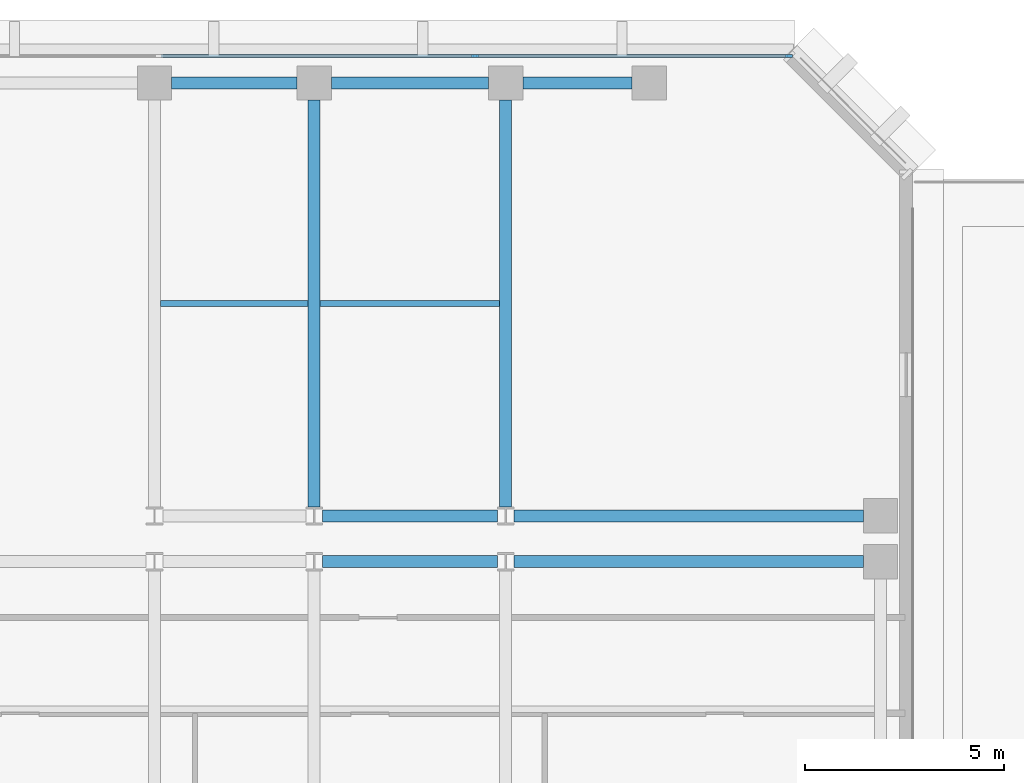
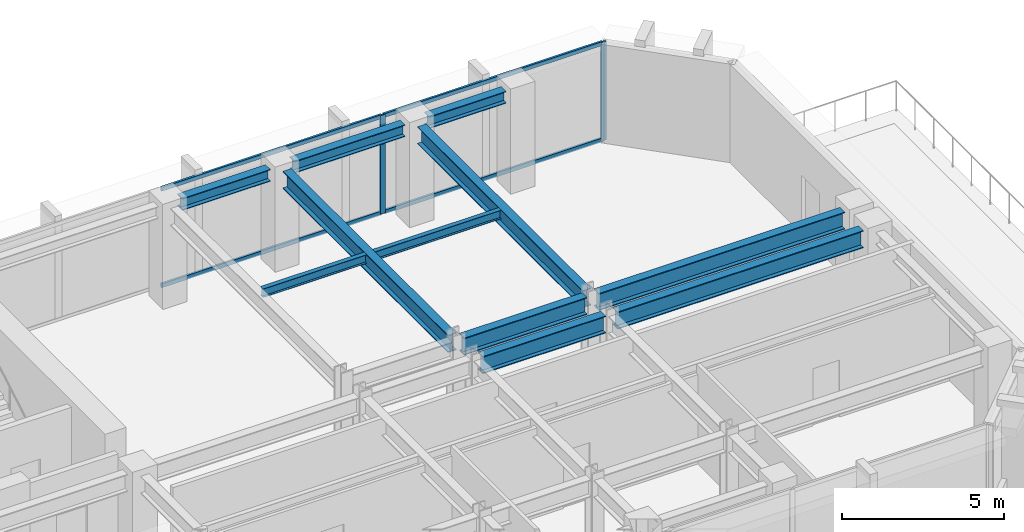
# One storey, part 5 of 12: 11 beams, 6 members, 1 element without a shape of its own.
"""IFC4 building model written with IfcOpenShell, lengths in metres."""

from ifc_helpers import new_model, si_unit, direction, frame, origin, origin_2d, place, context, subcontext, project, spatial, rectangle, i_section, extrude, material, layer, layer_set, material_profile, profile_set, type_object, element, aggregate, save


model = new_model("IFC4")

# Units and contexts
model_context = context("Model", 3, precision=1e-05, world=origin(), true_north=direction((0.0, 1.0)))
body_context = subcontext(model_context, "Body", "Model", "MODEL_VIEW")
ifc_project = project(units=[si_unit("LENGTHUNIT", "METRE"), si_unit("AREAUNIT", "SQUARE_METRE"), si_unit("VOLUMEUNIT", "CUBIC_METRE"), si_unit("PLANEANGLEUNIT", "RADIAN"), si_unit("MASSUNIT", "GRAM", prefix="KILO")], contexts=[model_context])

# Site, building, storey
site_placement = place(None, origin())
site = spatial("IfcSite", under=ifc_project, at=site_placement, CompositionType="ELEMENT")
building_placement = place(site_placement, origin())
building = spatial("IfcBuilding", under=site, at=building_placement, Name="Kefirva Bronze Tower", CompositionType="ELEMENT")
storey_placement = place(building_placement, frame((0.0, 0.0, 110.550048828125)))
storey = spatial("IfcBuildingStorey", under=building, at=storey_placement, Name="L26", CompositionType="ELEMENT", Elevation=110.550048828125)

# Curtain wall, members
ifc_material_1 = material(Name="Bronze anodised aluminium", Category="aluminium")
ifc_layer = layer(ifc_material_1, 0.199951171875, Name="Bronze anodised aluminium")
ifc_layer_set = layer_set([ifc_layer], Name="Bronze anodised aluminium")
curtain_wall_type = type_object("IfcCurtainWallType", Name="Unitised Bronze Ribbon Curtain Wall Zone 2", PredefinedType="USERDEFINED", material=ifc_layer_set)
curtain_wall_placement = place(storey_placement, origin())
curtain_wall = element("IfcCurtainWall", 1, at=curtain_wall_placement, inside=storey, type_object=curtain_wall_type, Name="L26 Curtain Wall 4", ObjectType="UNITISED CURTAIN WALL", PredefinedType="USERDEFINED")
ifc_material_profile_1 = material_profile(ifc_material_1, rectangle(XDim=0.074951171875, YDim=0.179931640625, at=origin_2d()), Name="ALU 75x180")
ifc_profile_set_1 = profile_set([ifc_material_profile_1], Name="Bronze anodised aluminium")
member_type_1 = type_object("IfcMemberType", Name="Bronze Mullion 75x180", PredefinedType="MULLION", material=ifc_profile_set_1)
member_1_placement = place(storey_placement, frame((47.107421875, 45.8798828125, 0.0), z_axis=(0.0, 0.0, 1.0), x_axis=(0.0, -1.0, 0.0)))
member_1 = element("IfcMember", 2, at=member_1_placement, type_object=member_type_1, Name="CW-02 mullion 1", PredefinedType="MULLION", context=body_context, shape_type="SweptSolid", body=[
    extrude(rectangle(XDim=0.074951171875, YDim=0.179931640625, at=origin_2d()), origin(), (0.0, 0.0, 1.0), 3.7099609375),
])
member_2_placement = place(storey_placement, frame((39.231689453125, 45.8798828125, 0.0), z_axis=(0.0, 0.0, 1.0), x_axis=(0.0, -1.0, 0.0)))
member_2 = element("IfcMember", 3, at=member_2_placement, type_object=member_type_1, Name="CW-02 mullion 2", PredefinedType="MULLION", context=body_context, shape_type="SweptSolid", body=[
    extrude(rectangle(XDim=0.074951171875, YDim=0.179931640625, at=origin_2d()), origin(), (0.0, 0.0, 1.0), 3.7099609375),
])
ifc_material_profile_2 = material_profile(ifc_material_1, rectangle(XDim=0.074951171875, YDim=0.14990234375, at=origin_2d()), Name="ALU 75x150")
ifc_profile_set_2 = profile_set([ifc_material_profile_2], Name="Bronze anodised aluminium")
member_type_2 = type_object("IfcMemberType", Name="Bronze Transom 75x150", PredefinedType="USERDEFINED", material=ifc_profile_set_2)
member_3_placement = place(storey_placement, frame((47.070068359375, 45.8798828125, 0.037353515625), z_axis=(-1.0, 0.0, 0.0), x_axis=(0.0, -1.0, 0.0)))
member_3 = element("IfcMember", 4, at=member_3_placement, type_object=member_type_2, Name="CW-02 transom 1.1", ObjectType="TRANSOM", PredefinedType="USERDEFINED", context=body_context, shape_type="SweptSolid", body=[
    extrude(rectangle(XDim=0.074951171875, YDim=0.14990234375, at=origin_2d()), origin(), (0.0, 0.0, 1.0), 7.80078125),
])
member_4_placement = place(storey_placement, frame((47.070068359375, 45.8798828125, 3.67236328125), z_axis=(-1.0, 0.0, 0.0), x_axis=(0.0, -1.0, 0.0)))
member_4 = element("IfcMember", 5, at=member_4_placement, type_object=member_type_2, Name="CW-02 transom 1.2", ObjectType="TRANSOM", PredefinedType="USERDEFINED", context=body_context, shape_type="SweptSolid", body=[
    extrude(rectangle(XDim=0.074951171875, YDim=0.14990234375, at=origin_2d()), origin(), (0.0, 0.0, 1.0), 7.80078125),
])
member_5_placement = place(storey_placement, frame((39.194091796875, 45.8798828125, 0.037353515625), z_axis=(-1.0, 0.0, 0.0), x_axis=(0.0, -1.0, 0.0)))
member_5 = element("IfcMember", 6, at=member_5_placement, type_object=member_type_2, Name="CW-02 transom 2.1", ObjectType="TRANSOM", PredefinedType="USERDEFINED", context=body_context, shape_type="SweptSolid", body=[
    extrude(rectangle(XDim=0.074951171875, YDim=0.14990234375, at=origin_2d()), origin(), (0.0, 0.0, 1.0), 7.83837890625),
])
member_6_placement = place(storey_placement, frame((39.194091796875, 45.8798828125, 3.67236328125), z_axis=(-1.0, 0.0, 0.0), x_axis=(0.0, -1.0, 0.0)))
member_6 = element("IfcMember", 7, at=member_6_placement, type_object=member_type_2, Name="CW-02 transom 2.2", ObjectType="TRANSOM", PredefinedType="USERDEFINED", context=body_context, shape_type="SweptSolid", body=[
    extrude(rectangle(XDim=0.074951171875, YDim=0.14990234375, at=origin_2d()), origin(), (0.0, 0.0, 1.0), 7.83837890625),
])
aggregate(curtain_wall, [member_1, member_2, member_3, member_4, member_5, member_6])

# Beams
ifc_material_2 = material(Name="Steel S355", Category="steel")
ifc_material_profile_3 = material_profile(ifc_material_2, i_section(OverallWidth=0.159912109375, OverallDepth=0.330078125, WebThickness=0.007568359375, FlangeThickness=0.011474609375, at=origin_2d()), Name="IPE 330")
ifc_profile_set_3 = profile_set([ifc_material_profile_3], Name="Steel S355")
beam_type_1 = type_object("IfcBeamType", Name="Steel Floor Joist IPE 330", PredefinedType="JOIST", material=ifc_profile_set_3)
beam_1_placement = place(storey_placement, frame((31.35009765625, 39.673583984375, 3.544921875), z_axis=(1.0, 0.0, 0.0), x_axis=(0.0, 1.0, 0.0)))
element("IfcBeam", 8, at=beam_1_placement, inside=storey, type_object=beam_type_1, Name="L26 JST-L26-31-396", PredefinedType="JOIST", context=body_context, shape_type="SweptSolid", body=[
    extrude(i_section(OverallWidth=0.159912109375, OverallDepth=0.330078125, WebThickness=0.007568359375, FlangeThickness=0.011474609375, at=origin_2d()), origin(), (0.0, 0.0, 1.0), 3.699951171875),
])
beam_2_placement = place(storey_placement, frame((35.35009765625, 39.673583984375, 3.544921875), z_axis=(1.0, 0.0, 0.0), x_axis=(0.0, 1.0, 0.0)))
element("IfcBeam", 9, at=beam_2_placement, inside=storey, type_object=beam_type_1, Name="L26 JST-L26-35-396", PredefinedType="JOIST", context=body_context, shape_type="SweptSolid", body=[
    extrude(i_section(OverallWidth=0.159912109375, OverallDepth=0.330078125, WebThickness=0.007568359375, FlangeThickness=0.011474609375, at=origin_2d()), origin(), (0.0, 0.0, 1.0), 4.5),
])
ifc_material_profile_4 = material_profile(ifc_material_2, i_section(OverallWidth=0.300048828125, OverallDepth=0.64990234375, WebThickness=0.01611328125, FlangeThickness=0.031005859375, at=origin_2d()), Name="HEB 650")
ifc_profile_set_4 = profile_set([ifc_material_profile_4], Name="Steel S355")
beam_type_2 = type_object("IfcBeamType", Name="Steel Girder HEB 650", PredefinedType="USERDEFINED", material=ifc_profile_set_4)
beam_3_placement = place(storey_placement, frame((35.408935546875, 33.199951171875, 3.385009765625), z_axis=(1.0, 0.0, 0.0), x_axis=(0.0, 1.0, 0.0)))
element("IfcBeam", 10, at=beam_3_placement, inside=storey, type_object=beam_type_2, Name="L26 BM-L26-EW-35-332", ObjectType="GIRDER", PredefinedType="USERDEFINED", context=body_context, shape_type="SweptSolid", body=[
    extrude(i_section(OverallWidth=0.300048828125, OverallDepth=0.64990234375, WebThickness=0.01611328125, FlangeThickness=0.031005859375, at=origin_2d()), origin(), (0.0, 0.0, 1.0), 4.382080078125),
])
beam_4_placement = place(storey_placement, frame((40.208984375, 33.199951171875, 3.385009765625), z_axis=(1.0, 0.0, 0.0), x_axis=(0.0, 1.0, 0.0)))
element("IfcBeam", 11, at=beam_4_placement, inside=storey, type_object=beam_type_2, Name="L26 BM-L26-EW-40-332", ObjectType="GIRDER", PredefinedType="USERDEFINED", context=body_context, shape_type="SweptSolid", body=[
    extrude(i_section(OverallWidth=0.300048828125, OverallDepth=0.64990234375, WebThickness=0.01611328125, FlangeThickness=0.031005859375, at=origin_2d()), origin(), (0.0, 0.0, 1.0), 8.760986328125),
])
beam_5_placement = place(storey_placement, frame((35.408935546875, 34.35009765625, 3.385009765625), z_axis=(1.0, 0.0, 0.0), x_axis=(0.0, 1.0, 0.0)))
element("IfcBeam", 12, at=beam_5_placement, inside=storey, type_object=beam_type_2, Name="L26 BM-L26-EW-35-344", ObjectType="GIRDER", PredefinedType="USERDEFINED", context=body_context, shape_type="SweptSolid", body=[
    extrude(i_section(OverallWidth=0.300048828125, OverallDepth=0.64990234375, WebThickness=0.01611328125, FlangeThickness=0.031005859375, at=origin_2d()), origin(), (0.0, 0.0, 1.0), 4.382080078125),
])
beam_6_placement = place(storey_placement, frame((40.208984375, 34.35009765625, 3.385009765625), z_axis=(1.0, 0.0, 0.0), x_axis=(0.0, 1.0, 0.0)))
element("IfcBeam", 13, at=beam_6_placement, inside=storey, type_object=beam_type_2, Name="L26 BM-L26-EW-40-344", ObjectType="GIRDER", PredefinedType="USERDEFINED", context=body_context, shape_type="SweptSolid", body=[
    extrude(i_section(OverallWidth=0.300048828125, OverallDepth=0.64990234375, WebThickness=0.01611328125, FlangeThickness=0.031005859375, at=origin_2d()), origin(), (0.0, 0.0, 1.0), 8.760986328125),
])
for number, where, z_axis, x_axis, name in (
    (14, (35.199951171875, 34.577392578125, 3.385009765625), (0.0, 1.0, 0.0), (-1.0, 0.0, 0.0), "L26 BM-L26-NS-352-34"),
    (15, (40.0, 34.577392578125, 3.385009765625), (0.0, 1.0, 0.0), (-1.0, 0.0, 0.0), "L26 BM-L26-NS-400-34"),
):
    element("IfcBeam", number, at=place(storey_placement, frame(where, z_axis=z_axis, x_axis=x_axis)), inside=storey, type_object=beam_type_2, Name=name, ObjectType="GIRDER", PredefinedType="USERDEFINED", context=body_context, shape_type="SweptSolid", body=[
        extrude(i_section(OverallWidth=0.300048828125, OverallDepth=0.64990234375, WebThickness=0.01611328125, FlangeThickness=0.031005859375, at=origin_2d()), origin(), (0.0, 0.0, 1.0), 10.192626953125),
    ])
ifc_material_profile_5 = material_profile(ifc_material_2, i_section(OverallWidth=0.300048828125, OverallDepth=0.449951171875, WebThickness=0.013916015625, FlangeThickness=0.02587890625, at=origin_2d()), Name="HEB 450")
ifc_profile_set_5 = profile_set([ifc_material_profile_5], Name="Steel S355")
beam_type_3 = type_object("IfcBeamType", Name="Steel Spandrel HEB 450 Ext", PredefinedType="SPANDREL", material=ifc_profile_set_5)
beam_7_placement = place(storey_placement, frame((31.6298828125, 45.199951171875, 3.48486328125), z_axis=(1.0, 0.0, 0.0), x_axis=(0.0, 1.0, 0.0)))
element("IfcBeam", 16, at=beam_7_placement, inside=storey, type_object=beam_type_3, Name="L26 BM-L26-EW-31-452", PredefinedType="SPANDREL", context=body_context, shape_type="SweptSolid", body=[
    extrude(i_section(OverallWidth=0.300048828125, OverallDepth=0.449951171875, WebThickness=0.013916015625, FlangeThickness=0.02587890625, at=origin_2d()), origin(), (0.0, 0.0, 1.0), 3.14013671875),
])
beam_8_placement = place(storey_placement, frame((35.6298828125, 45.199951171875, 3.48486328125), z_axis=(1.0, 0.0, 0.0), x_axis=(0.0, 1.0, 0.0)))
element("IfcBeam", 17, at=beam_8_placement, inside=storey, type_object=beam_type_3, Name="L26 BM-L26-EW-35-452", PredefinedType="SPANDREL", context=body_context, shape_type="SweptSolid", body=[
    extrude(i_section(OverallWidth=0.300048828125, OverallDepth=0.449951171875, WebThickness=0.013916015625, FlangeThickness=0.02587890625, at=origin_2d()), origin(), (0.0, 0.0, 1.0), 3.940185546875),
])
beam_9_placement = place(storey_placement, frame((40.429931640625, 45.199951171875, 3.48486328125), z_axis=(1.0, 0.0, 0.0), x_axis=(0.0, 1.0, 0.0)))
element("IfcBeam", 18, at=beam_9_placement, inside=storey, type_object=beam_type_3, Name="L26 BM-L26-EW-40-452", PredefinedType="SPANDREL", context=body_context, shape_type="SweptSolid", body=[
    extrude(i_section(OverallWidth=0.300048828125, OverallDepth=0.449951171875, WebThickness=0.013916015625, FlangeThickness=0.02587890625, at=origin_2d()), origin(), (0.0, 0.0, 1.0), 2.739990234375),
])

save(model, "model.ifc")
